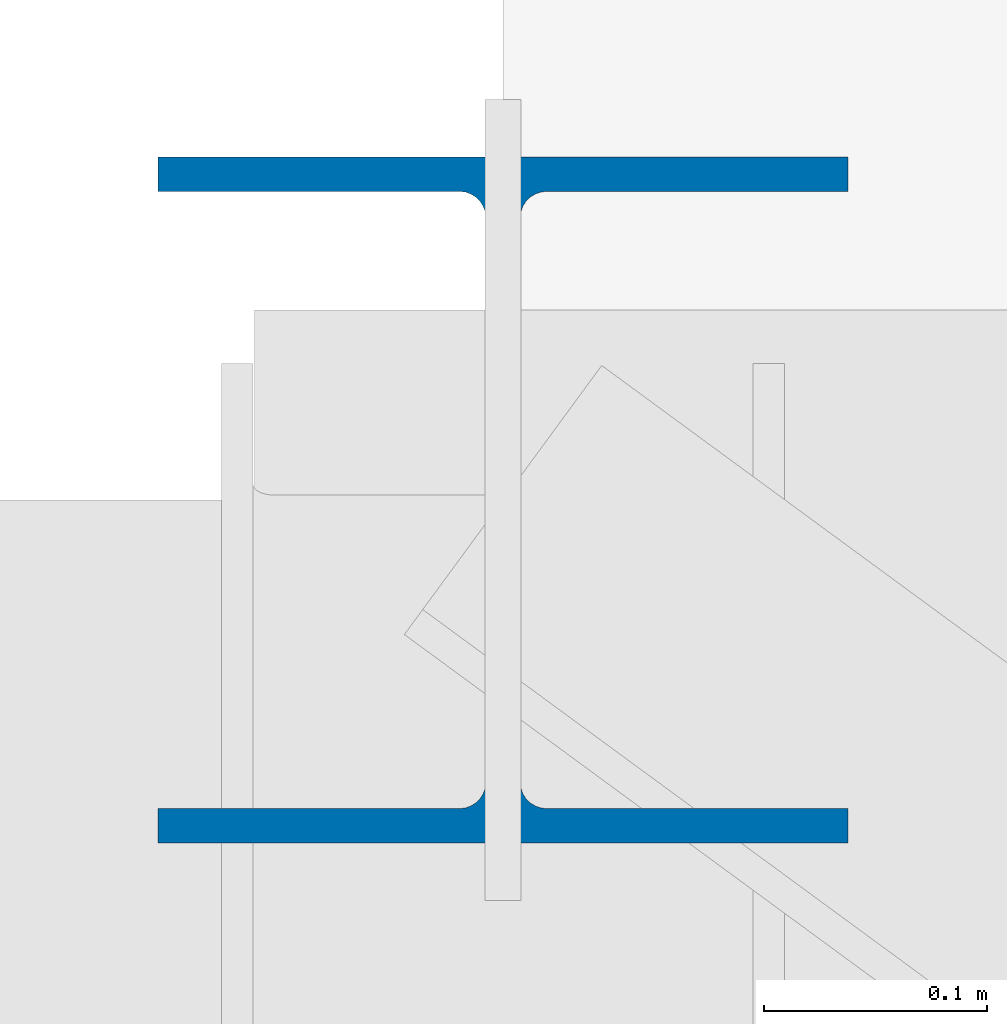
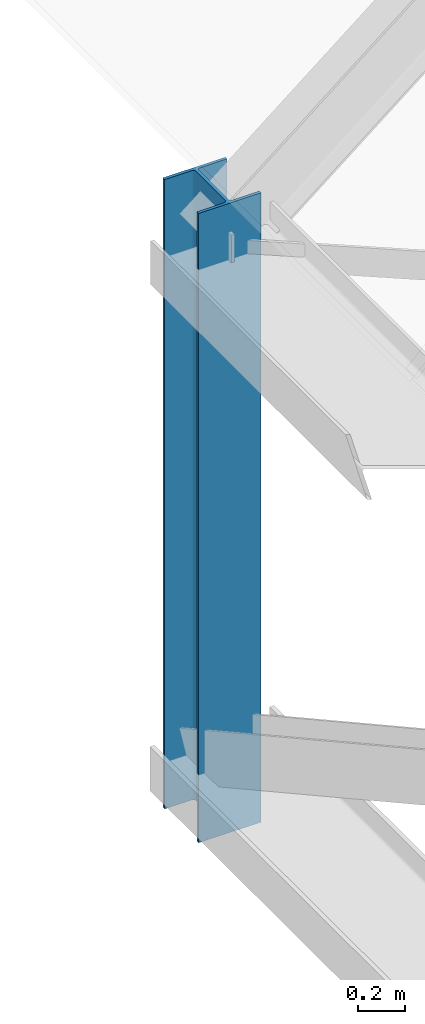
# One storey, part 7 of 101: 1 column.
"""IFC4 building model written with IfcOpenShell, lengths in metres."""

from ifc_helpers import new_model, si_unit, direction, frame, origin, origin_2d, place, context, subcontext, project, spatial, i_section, extrude, material, material_profile, profile_set, type_object, element, save


model = new_model("IFC4")

# Units and contexts
model_context = context("Model", 3, precision=1e-05, world=origin(), true_north=direction((0.0, 1.0)))
body_context = subcontext(model_context, "Body", "Model", "MODEL_VIEW")
ifc_project = project(units=[si_unit("LENGTHUNIT", "METRE"), si_unit("AREAUNIT", "SQUARE_METRE"), si_unit("VOLUMEUNIT", "CUBIC_METRE"), si_unit("PLANEANGLEUNIT", "RADIAN"), si_unit("MASSUNIT", "GRAM", prefix="KILO"), si_unit("THERMODYNAMICTEMPERATUREUNIT", "KELVIN")], contexts=[model_context])

# Site, building, storey
site_placement = place(None, origin())
site = spatial("IfcSite", under=ifc_project, at=site_placement, CompositionType="ELEMENT")
building_placement = place(site_placement, origin())
building = spatial("IfcBuilding", under=site, at=building_placement, Name="Thalorik Housing Commons", CompositionType="ELEMENT")
storey_placement = place(building_placement, frame((0.0, 0.0, 8.10009765625)))
storey = spatial("IfcBuildingStorey", under=building, at=storey_placement, Name="L02", CompositionType="ELEMENT", Elevation=8.10009765625)

# Column
ifc_material = material(Name="Steel S355", Category="steel")
ifc_material_profile = material_profile(ifc_material, i_section(OverallWidth=0.31005859375, OverallDepth=0.30810546875, WebThickness=0.015380859375, FlangeThickness=0.015380859375, FilletRadius=0.011962890625, at=origin_2d()), Name="HP310x110", Category="steel")
ifc_profile_set = profile_set([ifc_material_profile], Name="Steel S355")
column_type = type_object("IfcColumnType", Name="STR-COL-HP310", PredefinedType="COLUMN", material=ifc_profile_set)
column_placement = place(storey_placement, frame((66.0, 86.39990234375, 0.0), z_axis=(0.0, 0.0, 1.0), x_axis=(1.0, 0.0, 0.0)))
element("IfcColumn", 1, at=column_placement, inside=storey, type_object=column_type, Name="L02 Hall Sawtooth Bearing Column 1N", PredefinedType="COLUMN", context=body_context, shape_type="SweptSolid", body=[
    extrude(i_section(OverallWidth=0.31005859375, OverallDepth=0.30810546875, WebThickness=0.015380859375, FlangeThickness=0.015380859375, FilletRadius=0.011962890625, at=origin_2d()), origin(), (0.0, 0.0, 1.0), 3.2998046875),
])

save(model, "model.ifc")
